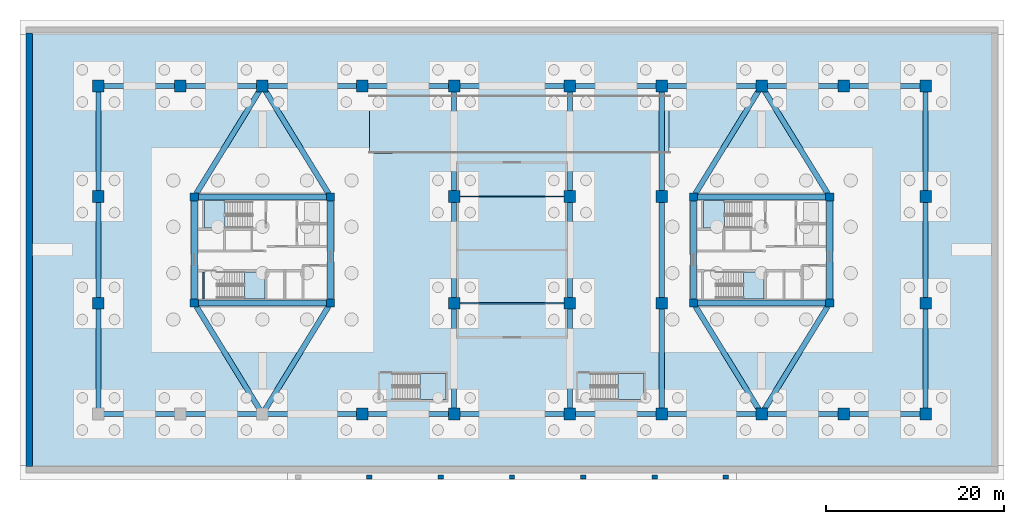
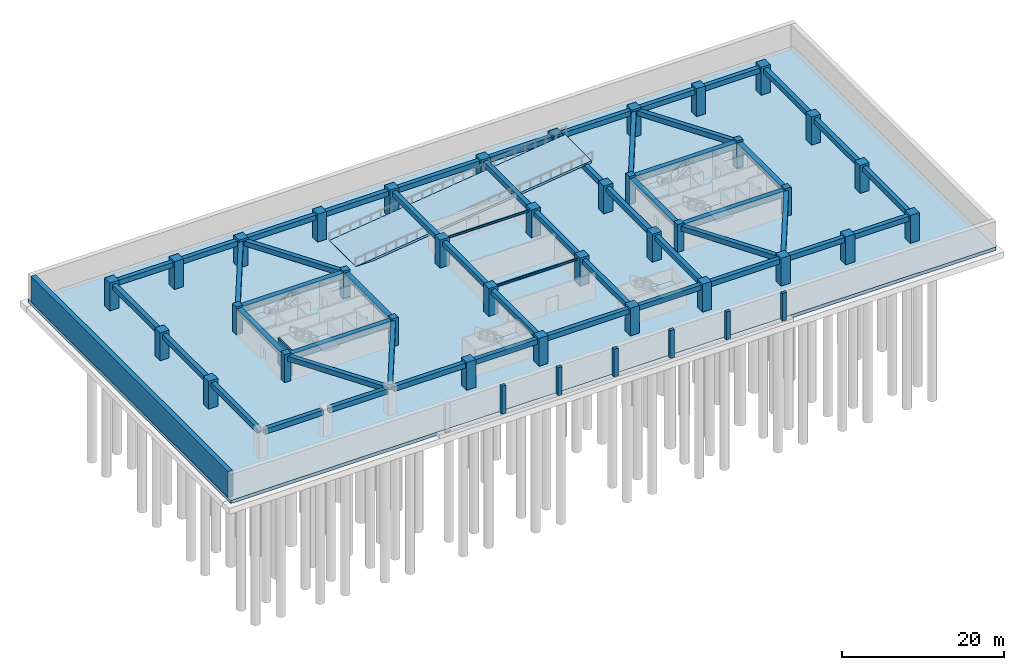
# One storey, part 3 of 14: 51 beams, 41 columns, 8 slabs, 2 walls, 6 elements without a shape of their own.
"""IFC4 building model written with IfcOpenShell, lengths in metres."""

from ifc_helpers import new_model, si_unit, direction, frame, frame_2d, origin, origin_2d, place, context, subcontext, project, spatial, polyline, rectangle, i_section, outline, extrude, source, transform, mapped, material, layer, layer_set, material_profile, profile_set, type_object, type_shapes, element, aggregate, save


model = new_model("IFC4")

# Units and contexts
model_context = context("Model", 3, precision=1e-05, world=origin(), true_north=direction((0.0, 1.0)))
body_context = subcontext(model_context, "Body", "Model", "MODEL_VIEW")
ifc_project = project(units=[si_unit("LENGTHUNIT", "METRE"), si_unit("AREAUNIT", "SQUARE_METRE"), si_unit("VOLUMEUNIT", "CUBIC_METRE"), si_unit("PLANEANGLEUNIT", "RADIAN"), si_unit("MASSUNIT", "GRAM", prefix="KILO")], contexts=[model_context])

# Site, building, storey
site_placement = place(None, origin())
site = spatial("IfcSite", under=ifc_project, at=site_placement, CompositionType="ELEMENT")
building_placement = place(site_placement, origin())
building = spatial("IfcBuilding", under=site, at=building_placement, Name="Norrkilde Senior Care Towers", CompositionType="ELEMENT")
storey_placement = place(building_placement, frame((0.0, 0.0, -8.39990234375)))
storey = spatial("IfcBuildingStorey", under=building, at=storey_placement, Name="B2", CompositionType="ELEMENT", Elevation=-8.39990234375)

# Columns
ifc_material_1 = material(Name="Concrete C60/75", Category="concrete")
ifc_material_profile_1 = material_profile(ifc_material_1, rectangle(XDim=0.89990234375, YDim=0.89990234375, at=origin_2d()), Name="RC COL 900x900")
ifc_profile_set_1 = profile_set([ifc_material_profile_1], Name="Concrete C60/75")
column_type_1 = type_object("IfcColumnType", Name="Column Core Corner Z1-Z2 900", PredefinedType="COLUMN", material=ifc_profile_set_1)
shared_shape_1 = source(origin(), body_context, "Body", "SweptSolid", [
    extrude(rectangle(XDim=0.89990234375, YDim=0.89990234375, at=origin_2d()), origin(), (0.0, 0.0, 1.0), 4.199951171875),
])
type_shapes(column_type_1, [shared_shape_1])
for number, where, z_axis, x_axis, name in (
    (1, (-35.64990234375, -5.949951171875, 0.0), (0.0, 0.0, 1.0), (1.0, 0.0, 0.0), "B2 Core W Corner Column 1"),
    (2, (-20.35009765625, -5.949951171875, 0.0), (0.0, 0.0, 1.0), (1.0, 0.0, 0.0), "B2 Core W Corner Column 2"),
    (3, (-20.35009765625, 5.949951171875, 0.0), (0.0, 0.0, 1.0), (1.0, 0.0, 0.0), "B2 Core W Corner Column 3"),
    (4, (-35.64990234375, 5.949951171875, 0.0), (0.0, 0.0, 1.0), (1.0, 0.0, 0.0), "B2 Core W Corner Column 4"),
    (5, (20.35009765625, -5.949951171875, 0.0), (0.0, 0.0, 1.0), (1.0, 0.0, 0.0), "B2 Core E Corner Column 1"),
    (6, (35.64990234375, -5.949951171875, 0.0), (0.0, 0.0, 1.0), (1.0, 0.0, 0.0), "B2 Core E Corner Column 2"),
    (7, (35.64990234375, 5.949951171875, 0.0), (0.0, 0.0, 1.0), (1.0, 0.0, 0.0), "B2 Core E Corner Column 3"),
    (8, (20.35009765625, 5.949951171875, 0.0), (0.0, 0.0, 1.0), (1.0, 0.0, 0.0), "B2 Core E Corner Column 4"),
):
    element("IfcColumn", number, at=place(storey_placement, frame(where, z_axis=z_axis, x_axis=x_axis)), inside=storey, type_object=column_type_1, Name=name, PredefinedType="COLUMN", context=body_context, shape_type="MappedRepresentation", body=[
        mapped(shared_shape_1, transform((0.0, 0.0, 0.0), x_axis=(1.0, 0.0, 0.0), y_axis=(0.0, 1.0, 0.0), z_axis=(0.0, 0.0, 1.0), scale=1.0)),
    ])
ifc_material_profile_2 = material_profile(ifc_material_1, rectangle(XDim=1.300048828125, YDim=1.300048828125, at=origin_2d()), Name="RC COL 1300x1300")
ifc_profile_set_2 = profile_set([ifc_material_profile_2], Name="Concrete C60/75")
column_type_2 = type_object("IfcColumnType", Name="Column Mega Podium 1300", PredefinedType="COLUMN", material=ifc_profile_set_2)
shared_shape_2 = source(origin(), body_context, "Body", "SweptSolid", [
    extrude(rectangle(XDim=1.300048828125, YDim=1.300048828125, at=origin_2d()), origin(), (0.0, 0.0, 1.0), 4.199951171875),
])
type_shapes(column_type_2, [shared_shape_2])
for number, where, z_axis, x_axis, name in (
    (9, (-16.800048828125, -18.39990234375, 0.0), (0.0, 0.0, 1.0), (1.0, 0.0, 0.0), "B2 Podium Mega Column 04"),
    (10, (-6.5, -18.39990234375, 0.0), (0.0, 0.0, 1.0), (1.0, 0.0, 0.0), "B2 Podium Mega Column 05"),
    (11, (6.5, -18.39990234375, 0.0), (0.0, 0.0, 1.0), (1.0, 0.0, 0.0), "B2 Podium Mega Column 06"),
    (12, (16.800048828125, -18.39990234375, 0.0), (0.0, 0.0, 1.0), (1.0, 0.0, 0.0), "B2 Podium Mega Column 07"),
    (13, (28.0, -18.39990234375, 0.0), (0.0, 0.0, 1.0), (1.0, 0.0, 0.0), "B2 Podium Mega Column 08"),
    (14, (37.199951171875, -18.39990234375, 0.0), (0.0, 0.0, 1.0), (1.0, 0.0, 0.0), "B2 Podium Mega Column 09"),
    (15, (46.39990234375, -18.39990234375, 0.0), (0.0, 0.0, 1.0), (1.0, 0.0, 0.0), "B2 Podium Mega Column 10"),
    (16, (-46.39990234375, 18.39990234375, 0.0), (0.0, 0.0, 1.0), (1.0, 0.0, 0.0), "B2 Podium Mega Column 11"),
    (17, (-37.199951171875, 18.39990234375, 0.0), (0.0, 0.0, 1.0), (1.0, 0.0, 0.0), "B2 Podium Mega Column 12"),
    (18, (-28.0, 18.39990234375, 0.0), (0.0, 0.0, 1.0), (1.0, 0.0, 0.0), "B2 Podium Mega Column 13"),
    (19, (-16.800048828125, 18.39990234375, 0.0), (0.0, 0.0, 1.0), (1.0, 0.0, 0.0), "B2 Podium Mega Column 14"),
    (20, (-6.5, 18.39990234375, 0.0), (0.0, 0.0, 1.0), (1.0, 0.0, 0.0), "B2 Podium Mega Column 15"),
    (21, (6.5, 18.39990234375, 0.0), (0.0, 0.0, 1.0), (1.0, 0.0, 0.0), "B2 Podium Mega Column 16"),
    (22, (16.800048828125, 18.39990234375, 0.0), (0.0, 0.0, 1.0), (1.0, 0.0, 0.0), "B2 Podium Mega Column 17"),
    (23, (28.0, 18.39990234375, 0.0), (0.0, 0.0, 1.0), (1.0, 0.0, 0.0), "B2 Podium Mega Column 18"),
    (24, (37.199951171875, 18.39990234375, 0.0), (0.0, 0.0, 1.0), (1.0, 0.0, 0.0), "B2 Podium Mega Column 19"),
    (25, (46.39990234375, 18.39990234375, 0.0), (0.0, 0.0, 1.0), (1.0, 0.0, 0.0), "B2 Podium Mega Column 20"),
    (26, (-46.39990234375, -6.0, 0.0), (0.0, 0.0, 1.0), (1.0, 0.0, 0.0), "B2 Podium Mega Column 21"),
    (27, (-46.39990234375, 6.0, 0.0), (0.0, 0.0, 1.0), (1.0, 0.0, 0.0), "B2 Podium Mega Column 22"),
    (28, (-6.5, -6.0, 0.0), (0.0, 0.0, 1.0), (1.0, 0.0, 0.0), "B2 Podium Mega Column 23"),
    (29, (-6.5, 6.0, 0.0), (0.0, 0.0, 1.0), (1.0, 0.0, 0.0), "B2 Podium Mega Column 24"),
    (30, (6.5, -6.0, 0.0), (0.0, 0.0, 1.0), (1.0, 0.0, 0.0), "B2 Podium Mega Column 25"),
    (31, (6.5, 6.0, 0.0), (0.0, 0.0, 1.0), (1.0, 0.0, 0.0), "B2 Podium Mega Column 26"),
    (32, (16.800048828125, -6.0, 0.0), (0.0, 0.0, 1.0), (1.0, 0.0, 0.0), "B2 Podium Mega Column 27"),
    (33, (16.800048828125, 6.0, 0.0), (0.0, 0.0, 1.0), (1.0, 0.0, 0.0), "B2 Podium Mega Column 28"),
    (34, (46.39990234375, -6.0, 0.0), (0.0, 0.0, 1.0), (1.0, 0.0, 0.0), "B2 Podium Mega Column 29"),
    (35, (46.39990234375, 6.0, 0.0), (0.0, 0.0, 1.0), (1.0, 0.0, 0.0), "B2 Podium Mega Column 30"),
):
    element("IfcColumn", number, at=place(storey_placement, frame(where, z_axis=z_axis, x_axis=x_axis)), inside=storey, type_object=column_type_2, Name=name, PredefinedType="COLUMN", context=body_context, shape_type="MappedRepresentation", body=[
        mapped(shared_shape_2, transform((0.0, 0.0, 0.0), x_axis=(1.0, 0.0, 0.0), y_axis=(0.0, 1.0, 0.0), z_axis=(0.0, 0.0, 1.0), scale=1.0)),
    ])
ifc_material_2 = material(Name="Precast concrete C45/55", Category="concrete")
ifc_material_profile_3 = material_profile(ifc_material_2, rectangle(XDim=0.60009765625, YDim=0.449951171875, at=origin_2d()), Name="RC PIL 600x450")
ifc_profile_set_3 = profile_set([ifc_material_profile_3], Name="Precast concrete C45/55")
column_type_3 = type_object("IfcColumnType", Name="Pilaster Entrance Colonnade", PredefinedType="PILASTER", material=ifc_profile_set_3)
shared_shape_3 = source(origin(), body_context, "Body", "SweptSolid", [
    extrude(rectangle(XDim=0.60009765625, YDim=0.449951171875, at=origin_2d()), origin(), (0.0, 0.0, 1.0), 4.199951171875),
])
type_shapes(column_type_3, [shared_shape_3])
for number, where, z_axis, x_axis, name in (
    (36, (-16.0, -25.47998046875, 0.0), (0.0, 0.0, 1.0), (1.0, 0.0, 0.0), "B2 Entrance Colonnade Pilaster 2"),
    (37, (-8.0, -25.47998046875, 0.0), (0.0, 0.0, 1.0), (1.0, 0.0, 0.0), "B2 Entrance Colonnade Pilaster 3"),
    (38, (0.0, -25.47998046875, 0.0), (0.0, 0.0, 1.0), (1.0, 0.0, 0.0), "B2 Entrance Colonnade Pilaster 4"),
    (39, (8.0, -25.47998046875, 0.0), (0.0, 0.0, 1.0), (1.0, 0.0, 0.0), "B2 Entrance Colonnade Pilaster 5"),
    (40, (16.0, -25.47998046875, 0.0), (0.0, 0.0, 1.0), (1.0, 0.0, 0.0), "B2 Entrance Colonnade Pilaster 6"),
    (41, (24.0, -25.47998046875, 0.0), (0.0, 0.0, 1.0), (1.0, 0.0, 0.0), "B2 Entrance Colonnade Pilaster 7"),
):
    element("IfcColumn", number, at=place(storey_placement, frame(where, z_axis=z_axis, x_axis=x_axis)), inside=storey, type_object=column_type_3, Name=name, PredefinedType="PILASTER", context=body_context, shape_type="MappedRepresentation", body=[
        mapped(shared_shape_3, transform((0.0, 0.0, 0.0), x_axis=(1.0, 0.0, 0.0), y_axis=(0.0, 1.0, 0.0), z_axis=(0.0, 0.0, 1.0), scale=1.0)),
    ])

# Beams
ifc_material_profile_4 = material_profile(ifc_material_1, rectangle(XDim=0.699951171875, YDim=0.89990234375, at=origin_2d()), Name="RC BM 700x900")
ifc_profile_set_4 = profile_set([ifc_material_profile_4], Name="Concrete C60/75")
beam_type_1 = type_object("IfcBeamType", Name="Core Coupling Girder 700x900", PredefinedType="USERDEFINED", material=ifc_profile_set_4)
shared_shape_4 = source(origin(), body_context, "Body", "SweptSolid", [
    extrude(rectangle(XDim=0.699951171875, YDim=0.89990234375, at=origin_2d()), origin(), (0.0, 0.0, 1.0), 14.43994140625),
])
type_shapes(beam_type_1, [shared_shape_4])
for number, where, z_axis, x_axis, name in (
    (42, (-35.219970703125, 5.949951171875, 3.429931640625), (1.0, 0.0, 0.0), (0.0, 1.0, 0.0), "B2 Core W N Coupling Girder"),
    (43, (-35.219970703125, -5.949951171875, 3.429931640625), (1.0, 0.0, 0.0), (0.0, 1.0, 0.0), "B2 Core W S Coupling Girder"),
    (44, (20.780029296875, 5.949951171875, 3.429931640625), (1.0, 0.0, 0.0), (0.0, 1.0, 0.0), "B2 Core E N Coupling Girder"),
    (45, (20.780029296875, -5.949951171875, 3.429931640625), (1.0, 0.0, 0.0), (0.0, 1.0, 0.0), "B2 Core E S Coupling Girder"),
):
    element("IfcBeam", number, at=place(storey_placement, frame(where, z_axis=z_axis, x_axis=x_axis)), inside=storey, type_object=beam_type_1, Name=name, ObjectType="GIRDER", PredefinedType="USERDEFINED", context=body_context, shape_type="MappedRepresentation", body=[
        mapped(shared_shape_4, transform((0.0, 0.0, 0.0), x_axis=(1.0, 0.0, 0.0), y_axis=(0.0, 1.0, 0.0), z_axis=(0.0, 0.0, 1.0), scale=1.0)),
    ])
ifc_material_profile_5 = material_profile(ifc_material_1, rectangle(XDim=0.699951171875, YDim=0.550048828125, at=origin_2d()), Name="RC BM 700x550")
ifc_profile_set_5 = profile_set([ifc_material_profile_5], Name="Concrete C60/75")
beam_type_2 = type_object("IfcBeamType", Name="Core Portal Coupling Beam 700x550", PredefinedType="USERDEFINED", material=ifc_profile_set_5)
shared_shape_5 = source(origin(), body_context, "Body", "SweptSolid", [
    extrude(rectangle(XDim=0.699951171875, YDim=0.550048828125, at=origin_2d()), origin(), (0.0, 0.0, 1.0), 11.0400390625),
])
type_shapes(beam_type_2, [shared_shape_5])
for number, where, z_axis, x_axis, name in (
    (46, (-35.64990234375, -5.52001953125, 3.60498046875), (0.0, 1.0, 0.0), (-1.0, 0.0, 0.0), "B2 Core W W Coupling Girder"),
    (47, (-20.35009765625, -5.52001953125, 3.60498046875), (0.0, 1.0, 0.0), (-1.0, 0.0, 0.0), "B2 Core W E Coupling Girder"),
    (48, (20.35009765625, -5.52001953125, 3.60498046875), (0.0, 1.0, 0.0), (-1.0, 0.0, 0.0), "B2 Core E W Coupling Girder"),
    (49, (35.64990234375, -5.52001953125, 3.60498046875), (0.0, 1.0, 0.0), (-1.0, 0.0, 0.0), "B2 Core E E Coupling Girder"),
):
    element("IfcBeam", number, at=place(storey_placement, frame(where, z_axis=z_axis, x_axis=x_axis)), inside=storey, type_object=beam_type_2, Name=name, ObjectType="GIRDER", PredefinedType="USERDEFINED", context=body_context, shape_type="MappedRepresentation", body=[
        mapped(shared_shape_5, transform((0.0, 0.0, 0.0), x_axis=(1.0, 0.0, 0.0), y_axis=(0.0, 1.0, 0.0), z_axis=(0.0, 0.0, 1.0), scale=1.0)),
    ])
ifc_material_3 = material(Name="Concrete C50/60", Category="concrete")
ifc_material_profile_6 = material_profile(ifc_material_3, rectangle(XDim=0.60009765625, YDim=0.75, at=origin_2d()), Name="RC BM 600x750")
ifc_profile_set_6 = profile_set([ifc_material_profile_6], Name="Concrete C50/60")
beam_type_3 = type_object("IfcBeamType", Name="Basement Frame Girder 600x750", PredefinedType="USERDEFINED", material=ifc_profile_set_6)
shared_shape_6 = source(origin(), body_context, "Body", "SweptSolid", [
    extrude(rectangle(XDim=0.60009765625, YDim=0.75, at=origin_2d()), origin(), (0.0, 0.0, 1.0), 8.300048828125),
])
for number, where, z_axis, x_axis, name in (
    (50, (-45.949951171875, -18.39990234375, 3.5048828125), (1.0, 0.0, 0.0), (0.0, 1.0, 0.0), "B2 Podium E-W Frame Beam 1.1"),
    (51, (-36.75, -18.39990234375, 3.5048828125), (1.0, 0.0, 0.0), (0.0, 1.0, 0.0), "B2 Podium E-W Frame Beam 1.2"),
    (52, (28.449951171875, -18.39990234375, 3.5048828125), (1.0, 0.0, 0.0), (0.0, 1.0, 0.0), "B2 Podium E-W Frame Beam 1.8"),
    (53, (37.64990234375, -18.39990234375, 3.5048828125), (1.0, 0.0, 0.0), (0.0, 1.0, 0.0), "B2 Podium E-W Frame Beam 1.9"),
    (54, (-45.949951171875, 18.39990234375, 3.5048828125), (1.0, 0.0, 0.0), (0.0, 1.0, 0.0), "B2 Podium E-W Frame Beam 2.1"),
    (55, (-36.75, 18.39990234375, 3.5048828125), (1.0, 0.0, 0.0), (0.0, 1.0, 0.0), "B2 Podium E-W Frame Beam 2.2"),
    (56, (28.449951171875, 18.39990234375, 3.5048828125), (1.0, 0.0, 0.0), (0.0, 1.0, 0.0), "B2 Podium E-W Frame Beam 2.8"),
    (57, (37.64990234375, 18.39990234375, 3.5048828125), (1.0, 0.0, 0.0), (0.0, 1.0, 0.0), "B2 Podium E-W Frame Beam 2.9"),
):
    element("IfcBeam", number, at=place(storey_placement, frame(where, z_axis=z_axis, x_axis=x_axis)), inside=storey, type_object=beam_type_3, Name=name, ObjectType="GIRDER", PredefinedType="USERDEFINED", context=body_context, shape_type="MappedRepresentation", body=[
        mapped(shared_shape_6, transform((0.0, 0.0, 0.0), x_axis=(1.0, 0.0, 0.0), y_axis=(0.0, 1.0, 0.0), z_axis=(0.0, 0.0, 1.0), scale=1.0)),
    ])
shared_shape_7 = source(origin(), body_context, "Body", "SweptSolid", [
    extrude(rectangle(XDim=0.60009765625, YDim=0.75, at=origin_2d()), origin(), (0.0, 0.0, 1.0), 10.300048828125),
])
for number, where, z_axis, x_axis, name in (
    (58, (-27.550048828125, -18.39990234375, 3.5048828125), (1.0, 0.0, 0.0), (0.0, 1.0, 0.0), "B2 Podium E-W Frame Beam 1.3"),
    (59, (17.25, -18.39990234375, 3.5048828125), (1.0, 0.0, 0.0), (0.0, 1.0, 0.0), "B2 Podium E-W Frame Beam 1.7"),
    (60, (-27.550048828125, 18.39990234375, 3.5048828125), (1.0, 0.0, 0.0), (0.0, 1.0, 0.0), "B2 Podium E-W Frame Beam 2.3"),
    (61, (17.25, 18.39990234375, 3.5048828125), (1.0, 0.0, 0.0), (0.0, 1.0, 0.0), "B2 Podium E-W Frame Beam 2.7"),
):
    element("IfcBeam", number, at=place(storey_placement, frame(where, z_axis=z_axis, x_axis=x_axis)), inside=storey, type_object=beam_type_3, Name=name, ObjectType="GIRDER", PredefinedType="USERDEFINED", context=body_context, shape_type="MappedRepresentation", body=[
        mapped(shared_shape_7, transform((0.0, 0.0, 0.0), x_axis=(1.0, 0.0, 0.0), y_axis=(0.0, 1.0, 0.0), z_axis=(0.0, 0.0, 1.0), scale=1.0)),
    ])
shared_shape_8 = source(origin(), body_context, "Body", "SweptSolid", [
    extrude(rectangle(XDim=0.60009765625, YDim=0.75, at=origin_2d()), origin(), (0.0, 0.0, 1.0), 9.400146484375),
])
for number, where, z_axis, x_axis, name in (
    (62, (-16.35009765625, -18.39990234375, 3.5048828125), (1.0, 0.0, 0.0), (0.0, 1.0, 0.0), "B2 Podium E-W Frame Beam 1.4"),
    (63, (6.949951171875, -18.39990234375, 3.5048828125), (1.0, 0.0, 0.0), (0.0, 1.0, 0.0), "B2 Podium E-W Frame Beam 1.6"),
    (64, (-16.35009765625, 18.39990234375, 3.5048828125), (1.0, 0.0, 0.0), (0.0, 1.0, 0.0), "B2 Podium E-W Frame Beam 2.4"),
    (65, (6.949951171875, 18.39990234375, 3.5048828125), (1.0, 0.0, 0.0), (0.0, 1.0, 0.0), "B2 Podium E-W Frame Beam 2.6"),
):
    element("IfcBeam", number, at=place(storey_placement, frame(where, z_axis=z_axis, x_axis=x_axis)), inside=storey, type_object=beam_type_3, Name=name, ObjectType="GIRDER", PredefinedType="USERDEFINED", context=body_context, shape_type="MappedRepresentation", body=[
        mapped(shared_shape_8, transform((0.0, 0.0, 0.0), x_axis=(1.0, 0.0, 0.0), y_axis=(0.0, 1.0, 0.0), z_axis=(0.0, 0.0, 1.0), scale=1.0)),
    ])
shared_shape_9 = source(origin(), body_context, "Body", "SweptSolid", [
    extrude(rectangle(XDim=0.60009765625, YDim=0.75, at=origin_2d()), origin(), (0.0, 0.0, 1.0), 12.10009765625),
])
for number, where, z_axis, x_axis, name in (
    (66, (-6.050048828125, -18.39990234375, 3.5048828125), (1.0, 0.0, 0.0), (0.0, 1.0, 0.0), "B2 Podium E-W Frame Beam 1.5"),
    (67, (-6.050048828125, 18.39990234375, 3.5048828125), (1.0, 0.0, 0.0), (0.0, 1.0, 0.0), "B2 Podium E-W Frame Beam 2.5"),
):
    element("IfcBeam", number, at=place(storey_placement, frame(where, z_axis=z_axis, x_axis=x_axis)), inside=storey, type_object=beam_type_3, Name=name, ObjectType="GIRDER", PredefinedType="USERDEFINED", context=body_context, shape_type="MappedRepresentation", body=[
        mapped(shared_shape_9, transform((0.0, 0.0, 0.0), x_axis=(1.0, 0.0, 0.0), y_axis=(0.0, 1.0, 0.0), z_axis=(0.0, 0.0, 1.0), scale=1.0)),
    ])
shared_shape_10 = source(origin(), body_context, "Body", "SweptSolid", [
    extrude(rectangle(XDim=0.60009765625, YDim=0.75, at=origin_2d()), origin(), (0.0, 0.0, 1.0), 11.5),
])
for number, where, z_axis, x_axis, name in (
    (68, (-46.39990234375, -17.949951171875, 3.5048828125), (0.0, 1.0, 0.0), (-1.0, 0.0, 0.0), "B2 Podium N-S Frame Beam 1.1"),
    (69, (-46.39990234375, 6.449951171875, 3.5048828125), (0.0, 1.0, 0.0), (-1.0, 0.0, 0.0), "B2 Podium N-S Frame Beam 1.3"),
    (70, (-6.5, -17.949951171875, 3.5048828125), (0.0, 1.0, 0.0), (-1.0, 0.0, 0.0), "B2 Podium N-S Frame Beam 2.1"),
    (71, (-6.5, 6.449951171875, 3.5048828125), (0.0, 1.0, 0.0), (-1.0, 0.0, 0.0), "B2 Podium N-S Frame Beam 2.3"),
    (72, (6.5, -17.949951171875, 3.5048828125), (0.0, 1.0, 0.0), (-1.0, 0.0, 0.0), "B2 Podium N-S Frame Beam 3.1"),
    (73, (6.5, 6.449951171875, 3.5048828125), (0.0, 1.0, 0.0), (-1.0, 0.0, 0.0), "B2 Podium N-S Frame Beam 3.3"),
    (74, (16.800048828125, -17.949951171875, 3.5048828125), (0.0, 1.0, 0.0), (-1.0, 0.0, 0.0), "B2 Podium N-S Frame Beam 4.1"),
    (75, (16.800048828125, 6.449951171875, 3.5048828125), (0.0, 1.0, 0.0), (-1.0, 0.0, 0.0), "B2 Podium N-S Frame Beam 4.3"),
    (76, (46.39990234375, -17.949951171875, 3.5048828125), (0.0, 1.0, 0.0), (-1.0, 0.0, 0.0), "B2 Podium N-S Frame Beam 5.1"),
    (77, (46.39990234375, 6.449951171875, 3.5048828125), (0.0, 1.0, 0.0), (-1.0, 0.0, 0.0), "B2 Podium N-S Frame Beam 5.3"),
):
    element("IfcBeam", number, at=place(storey_placement, frame(where, z_axis=z_axis, x_axis=x_axis)), inside=storey, type_object=beam_type_3, Name=name, ObjectType="GIRDER", PredefinedType="USERDEFINED", context=body_context, shape_type="MappedRepresentation", body=[
        mapped(shared_shape_10, transform((0.0, 0.0, 0.0), x_axis=(1.0, 0.0, 0.0), y_axis=(0.0, 1.0, 0.0), z_axis=(0.0, 0.0, 1.0), scale=1.0)),
    ])
shared_shape_11 = source(origin(), body_context, "Body", "SweptSolid", [
    extrude(rectangle(XDim=0.60009765625, YDim=0.75, at=origin_2d()), origin(), (0.0, 0.0, 1.0), 11.10009765625),
])
for number, where, z_axis, x_axis, name in (
    (78, (-46.39990234375, -5.550048828125, 3.5048828125), (0.0, 1.0, 0.0), (-1.0, 0.0, 0.0), "B2 Podium N-S Frame Beam 1.2"),
    (79, (-6.5, -5.550048828125, 3.5048828125), (0.0, 1.0, 0.0), (-1.0, 0.0, 0.0), "B2 Podium N-S Frame Beam 2.2"),
    (80, (6.5, -5.550048828125, 3.5048828125), (0.0, 1.0, 0.0), (-1.0, 0.0, 0.0), "B2 Podium N-S Frame Beam 3.2"),
    (81, (16.800048828125, -5.550048828125, 3.5048828125), (0.0, 1.0, 0.0), (-1.0, 0.0, 0.0), "B2 Podium N-S Frame Beam 4.2"),
    (82, (46.39990234375, -5.550048828125, 3.5048828125), (0.0, 1.0, 0.0), (-1.0, 0.0, 0.0), "B2 Podium N-S Frame Beam 5.2"),
):
    element("IfcBeam", number, at=place(storey_placement, frame(where, z_axis=z_axis, x_axis=x_axis)), inside=storey, type_object=beam_type_3, Name=name, ObjectType="GIRDER", PredefinedType="USERDEFINED", context=body_context, shape_type="MappedRepresentation", body=[
        mapped(shared_shape_11, transform((0.0, 0.0, 0.0), x_axis=(1.0, 0.0, 0.0), y_axis=(0.0, 1.0, 0.0), z_axis=(0.0, 0.0, 1.0), scale=1.0)),
    ])
shared_shape_12 = source(origin(), body_context, "Body", "SweptSolid", [
    extrude(rectangle(XDim=0.60009765625, YDim=0.75, at=origin_2d()), origin(), (0.0, 0.0, 1.0), 13.742431640625),
])
type_shapes(beam_type_3, [shared_shape_6, shared_shape_7, shared_shape_8, shared_shape_9, shared_shape_10, shared_shape_11, shared_shape_12])
for number, where, z_axis, x_axis, name in (
    (83, (-28.235595703125, -18.0166015625, 3.5048828125), (-0.523527368138, 0.852008858411, 0.0), (-0.852008858411, -0.523527368138, 0.0), "B2 Core W Tie Beam 1"),
    (84, (-27.764404296875, -18.0166015625, 3.5048828125), (0.523527368138, 0.852008858411, 0.0), (-0.852008858411, 0.523527368138, 0.0), "B2 Core W Tie Beam 2"),
    (85, (-28.235595703125, 18.0166015625, 3.5048828125), (-0.523527368138, -0.852008858411, 0.0), (0.852008858411, -0.523527368138, 0.0), "B2 Core W Tie Beam 3"),
    (86, (-27.764404296875, 18.0166015625, 3.5048828125), (0.523527368138, -0.852008858411, 0.0), (0.852008858411, 0.523527368138, 0.0), "B2 Core W Tie Beam 4"),
    (87, (27.764404296875, -18.0166015625, 3.5048828125), (-0.523527368138, 0.852008858411, 0.0), (-0.852008858411, -0.523527368138, 0.0), "B2 Core E Tie Beam 1"),
    (88, (28.235595703125, -18.0166015625, 3.5048828125), (0.523527368138, 0.852008858411, 0.0), (-0.852008858411, 0.523527368138, 0.0), "B2 Core E Tie Beam 2"),
    (89, (27.764404296875, 18.0166015625, 3.5048828125), (-0.523527368138, -0.852008858411, 0.0), (0.852008858411, -0.523527368138, 0.0), "B2 Core E Tie Beam 3"),
    (90, (28.235595703125, 18.0166015625, 3.5048828125), (0.523527368138, -0.852008858411, 0.0), (0.852008858411, 0.523527368138, 0.0), "B2 Core E Tie Beam 4"),
):
    element("IfcBeam", number, at=place(storey_placement, frame(where, z_axis=z_axis, x_axis=x_axis)), inside=storey, type_object=beam_type_3, Name=name, ObjectType="GIRDER", PredefinedType="USERDEFINED", context=body_context, shape_type="MappedRepresentation", body=[
        mapped(shared_shape_12, transform((0.0, 0.0, 0.0), x_axis=(1.0, 0.0, 0.0), y_axis=(0.0, 1.0, 0.0), z_axis=(0.0, 0.0, 1.0), scale=1.0)),
    ])
ifc_material_4 = material(Name="Steel S355", Category="steel")
ifc_material_profile_7 = material_profile(ifc_material_4, i_section(OverallWidth=0.159912109375, OverallDepth=0.330078125, WebThickness=0.007568359375, FlangeThickness=0.011474609375, FilletRadius=0.01806640625, at=origin_2d()), Name="IPE 330")
ifc_profile_set_7 = profile_set([ifc_material_profile_7], Name="Steel S355")
beam_type_4 = type_object("IfcBeamType", Name="Podium Deck Joist IPE330", PredefinedType="JOIST", material=ifc_profile_set_7)
shared_shape_13 = source(origin(), body_context, "Body", "SweptSolid", [
    extrude(i_section(OverallWidth=0.159912109375, OverallDepth=0.330078125, WebThickness=0.007568359375, FlangeThickness=0.011474609375, FilletRadius=0.01806640625, at=origin_2d()), origin(), (0.0, 0.0, 1.0), 12.0),
])
type_shapes(beam_type_4, [shared_shape_13])
for number, where, z_axis, x_axis, name in (
    (91, (-6.0, -6.0, 3.71484375), (1.0, 0.0, 0.0), (0.0, 1.0, 0.0), "B2 Podium Central Span Beam 1"),
    (92, (-6.0, 6.0, 3.71484375), (1.0, 0.0, 0.0), (0.0, 1.0, 0.0), "B2 Podium Central Span Beam 2"),
):
    element("IfcBeam", number, at=place(storey_placement, frame(where, z_axis=z_axis, x_axis=x_axis)), inside=storey, type_object=beam_type_4, Name=name, PredefinedType="JOIST", context=body_context, shape_type="MappedRepresentation", body=[
        mapped(shared_shape_13, transform((0.0, 0.0, 0.0), x_axis=(1.0, 0.0, 0.0), y_axis=(0.0, 1.0, 0.0), z_axis=(0.0, 0.0, 1.0), scale=1.0)),
    ])

# Slabs
ifc_layer_1 = layer(ifc_material_3, 0.5)
ifc_layer_set_1 = layer_set([ifc_layer_1], Name="Concrete C50/60")
slab_type_1 = type_object("IfcSlabType", Name="Basement Mat Base Slab 500", PredefinedType="BASESLAB", material=ifc_layer_set_1)
slab_1_placement = place(storey_placement, frame((0.0, 0.0, -0.5)))
element("IfcSlab", 93, at=slab_1_placement, inside=storey, type_object=slab_type_1, Name="B2 Structural Podium Slab", PredefinedType="BASESLAB", context=body_context, shape_type="SweptSolid", body=[
    extrude(outline(polyline([(-54.5, -25.0), (-54.5, 25.0), (54.5, 25.0), (54.5, -25.0), (-54.5, -25.0)]), holes=[polyline([(-13.39990234375, 17.360107421875), (-16.010009765625, 17.360107421875), (-16.010009765625, 10.840087890625), (-13.39990234375, 10.840087890625), (-13.39990234375, 17.360107421875)])]), origin(), (0.0, 0.0, 1.0), 0.5),
])
ifc_layer_2 = layer(ifc_material_3, 0.320068359375)
ifc_layer_set_2 = layer_set([ifc_layer_2], Name="Concrete C50/60")
slab_type_2 = type_object("IfcSlabType", Name="Basement Vehicle Ramp Structural Slab 320", PredefinedType="FLOOR", material=ifc_layer_set_2)
slab_2_placement = place(storey_placement, frame((-16.0, 10.85009765625, 0.0), z_axis=(-0.124069352481, 0.0, 0.992273548864), x_axis=(0.992273548864, 0.0, 0.124069352481)))
element("IfcSlab", 94, at=slab_2_placement, inside=storey, type_object=slab_type_2, Name="Car park vehicle ramp R1 structural slab B2 to B1", PredefinedType="FLOOR", context=body_context, shape_type="SweptSolid", body=[
    extrude(outline(polyline([(0.0, 0.0), (33.85164094022691, 0.0), (33.85164094022691, 6.5), (0.0, 6.5), (0.0, 0.0)])), origin(), (0.0, 0.0, -1.0), 0.320068359375),
])

# Stair, slab
ifc_material_5 = material(Name="Concrete C45/55", Category="concrete")
stair_type = type_object("IfcStairType", Name="Core Protected Dogleg Stair Podium 4200", PredefinedType="HALF_TURN_STAIR", material=ifc_material_5)
stair_1_placement = place(storey_placement, origin())
stair_1 = element("IfcStair", 95, at=stair_1_placement, inside=storey, type_object=stair_type, Name="B2 Protected Core Stair W1", PredefinedType="HALF_TURN_STAIR")
ifc_layer_3 = layer(ifc_material_5, 0.199951171875)
ifc_layer_set_3 = layer_set([ifc_layer_3], Name="Concrete C45/55")
slab_type_3 = type_object("IfcSlabType", Name="Stair Landing Slab 200", PredefinedType="LANDING", material=ifc_layer_set_3)
slab_3_placement = place(storey_placement, frame((0.0, 0.0, 1.89990234375)))
slab_3 = element("IfcSlab", 96, at=slab_3_placement, type_object=slab_type_3, Name="ST-W1 landing 1", PredefinedType="LANDING", context=body_context, shape_type="SweptSolid", body=[
    extrude(outline(polyline([(-32.179931640625, 5.52490234375), (-34.5, 5.52490234375), (-34.5, 2.449951171875), (-32.179931640625, 2.449951171875), (-32.179931640625, 5.52490234375)])), origin(), (0.0, 0.0, 1.0), 0.199951171875),
])
aggregate(stair_1, [slab_3])

stair_2_placement = place(storey_placement, origin())
stair_2 = element("IfcStair", 97, at=stair_2_placement, inside=storey, type_object=stair_type, Name="B2 Protected Core Stair W2", PredefinedType="HALF_TURN_STAIR")
slab_4_placement = place(storey_placement, frame((0.0, 0.0, 1.89990234375)))
slab_4 = element("IfcSlab", 98, at=slab_4_placement, type_object=slab_type_3, Name="ST-W2 landing 1", PredefinedType="LANDING", context=body_context, shape_type="SweptSolid", body=[
    extrude(outline(polyline([(-30.02001953125, -5.52490234375), (-27.699951171875, -5.52490234375), (-27.699951171875, -2.449951171875), (-30.02001953125, -2.449951171875), (-30.02001953125, -5.52490234375)])), origin(), (0.0, 0.0, 1.0), 0.199951171875),
])
aggregate(stair_2, [slab_4])

stair_3_placement = place(storey_placement, origin())
stair_3 = element("IfcStair", 99, at=stair_3_placement, inside=storey, type_object=stair_type, Name="B2 Protected Core Stair E1", PredefinedType="HALF_TURN_STAIR")
slab_5_placement = place(storey_placement, frame((0.0, 0.0, 1.89990234375)))
slab_5 = element("IfcSlab", 100, at=slab_5_placement, type_object=slab_type_3, Name="ST-E1 landing 1", PredefinedType="LANDING", context=body_context, shape_type="SweptSolid", body=[
    extrude(outline(polyline([(23.820068359375, 5.52490234375), (21.5, 5.52490234375), (21.5, 2.449951171875), (23.820068359375, 2.449951171875), (23.820068359375, 5.52490234375)])), origin(), (0.0, 0.0, 1.0), 0.199951171875),
])
aggregate(stair_3, [slab_5])

stair_4_placement = place(storey_placement, origin())
stair_4 = element("IfcStair", 101, at=stair_4_placement, inside=storey, type_object=stair_type, Name="B2 Protected Core Stair E2", PredefinedType="HALF_TURN_STAIR")
slab_6_placement = place(storey_placement, frame((0.0, 0.0, 1.89990234375)))
slab_6 = element("IfcSlab", 102, at=slab_6_placement, type_object=slab_type_3, Name="ST-E2 landing 1", PredefinedType="LANDING", context=body_context, shape_type="SweptSolid", body=[
    extrude(outline(polyline([(25.97998046875, -5.52490234375), (28.300048828125, -5.52490234375), (28.300048828125, -2.449951171875), (25.97998046875, -2.449951171875), (25.97998046875, -5.52490234375)])), origin(), (0.0, 0.0, 1.0), 0.199951171875),
])
aggregate(stair_4, [slab_6])

stair_5_placement = place(storey_placement, origin())
stair_5 = element("IfcStair", 103, at=stair_5_placement, inside=storey, type_object=stair_type, Name="B2 Podium Clinic Exit Stair P1", PredefinedType="HALF_TURN_STAIR")
slab_7_placement = place(storey_placement, frame((0.0, 0.0, 1.89990234375)))
slab_7 = element("IfcSlab", 104, at=slab_7_placement, type_object=slab_type_3, Name="ST-P1 landing 1", PredefinedType="LANDING", context=body_context, shape_type="SweptSolid", body=[
    extrude(outline(polyline([(-10.320068359375, -16.800048828125), (-7.39990234375, -16.800048828125), (-7.39990234375, -13.85009765625), (-10.320068359375, -13.85009765625), (-10.320068359375, -16.800048828125)])), origin(), (0.0, 0.0, 1.0), 0.199951171875),
])
aggregate(stair_5, [slab_7])

stair_6_placement = place(storey_placement, origin())
stair_6 = element("IfcStair", 105, at=stair_6_placement, inside=storey, type_object=stair_type, Name="B2 Podium Clinic Exit Stair P2", PredefinedType="HALF_TURN_STAIR")
slab_8_placement = place(storey_placement, frame((0.0, 0.0, 1.89990234375)))
slab_8 = element("IfcSlab", 106, at=slab_8_placement, type_object=slab_type_3, Name="ST-P2 landing 1", PredefinedType="LANDING", context=body_context, shape_type="SweptSolid", body=[
    extrude(outline(polyline([(11.8798828125, -16.800048828125), (14.800048828125, -16.800048828125), (14.800048828125, -13.85009765625), (11.8798828125, -13.85009765625), (11.8798828125, -16.800048828125)])), origin(), (0.0, 0.0, 1.0), 0.199951171875),
])
aggregate(stair_6, [slab_8])

# Walls
ifc_layer_4 = layer(ifc_material_3, 0.679931640625)
ifc_layer_set_4 = layer_set([ifc_layer_4], Name="Concrete C50/60")
wall_type_1 = type_object("IfcWallType", Name="Basement Retaining Wall 680", PredefinedType="SOLIDWALL", material=ifc_layer_set_4)
shared_shape_14 = source(origin(), body_context, "Body", "SweptSolid", [
    extrude(rectangle(XDim=48.64013671875, YDim=0.679931640625, at=frame_2d((24.320068359375, 0.0))), origin(), (0.0, 0.0, 1.0), 3.8798828125),
])
type_shapes(wall_type_1, [shared_shape_14])
wall_1_placement = place(storey_placement, frame((-54.159912109375, 24.320068359375, 0.0), z_axis=(0.0, 0.0, 1.0), x_axis=(0.0, -1.0, 0.0)))
element("IfcWall", 107, at=wall_1_placement, inside=storey, type_object=wall_type_1, Name="B2 W Perimeter Retaining Wall", PredefinedType="SOLIDWALL", context=body_context, shape_type="MappedRepresentation", body=[
    mapped(shared_shape_14, transform((0.0, 0.0, 0.0), x_axis=(1.0, 0.0, 0.0), y_axis=(0.0, 1.0, 0.0), z_axis=(0.0, 0.0, 1.0), scale=1.0)),
])
ifc_layer_5 = layer(ifc_material_5, 0.239990234375)
ifc_layer_set_5 = layer_set([ifc_layer_5], Name="Concrete C45/55")
wall_type_2 = type_object("IfcWallType", Name="Shaft and Stair Enclosure Wall 240", PredefinedType="PARTITIONING", material=ifc_layer_set_5)
shared_shape_15 = source(origin(), body_context, "Body", "SweptSolid", [
    extrude(rectangle(XDim=3.074951171875, YDim=0.239990234375, at=frame_2d((1.53759765625, 0.0))), origin(), (0.0, 0.0, 1.0), 3.8798828125),
])
type_shapes(wall_type_2, [shared_shape_15])
wall_2_placement = place(storey_placement, frame((-34.6201171875, -5.52490234375, 0.0), z_axis=(0.0, 0.0, 1.0), x_axis=(0.0, 1.0, 0.0)))
element("IfcWall", 108, at=wall_2_placement, inside=storey, type_object=wall_type_2, Name="WL-INT-B2-W-ST2W", PredefinedType="PARTITIONING", context=body_context, shape_type="MappedRepresentation", body=[
    mapped(shared_shape_15, transform((0.0, 0.0, 0.0), x_axis=(1.0, 0.0, 0.0), y_axis=(0.0, 1.0, 0.0), z_axis=(0.0, 0.0, 1.0), scale=1.0)),
])

save(model, "model.ifc")
